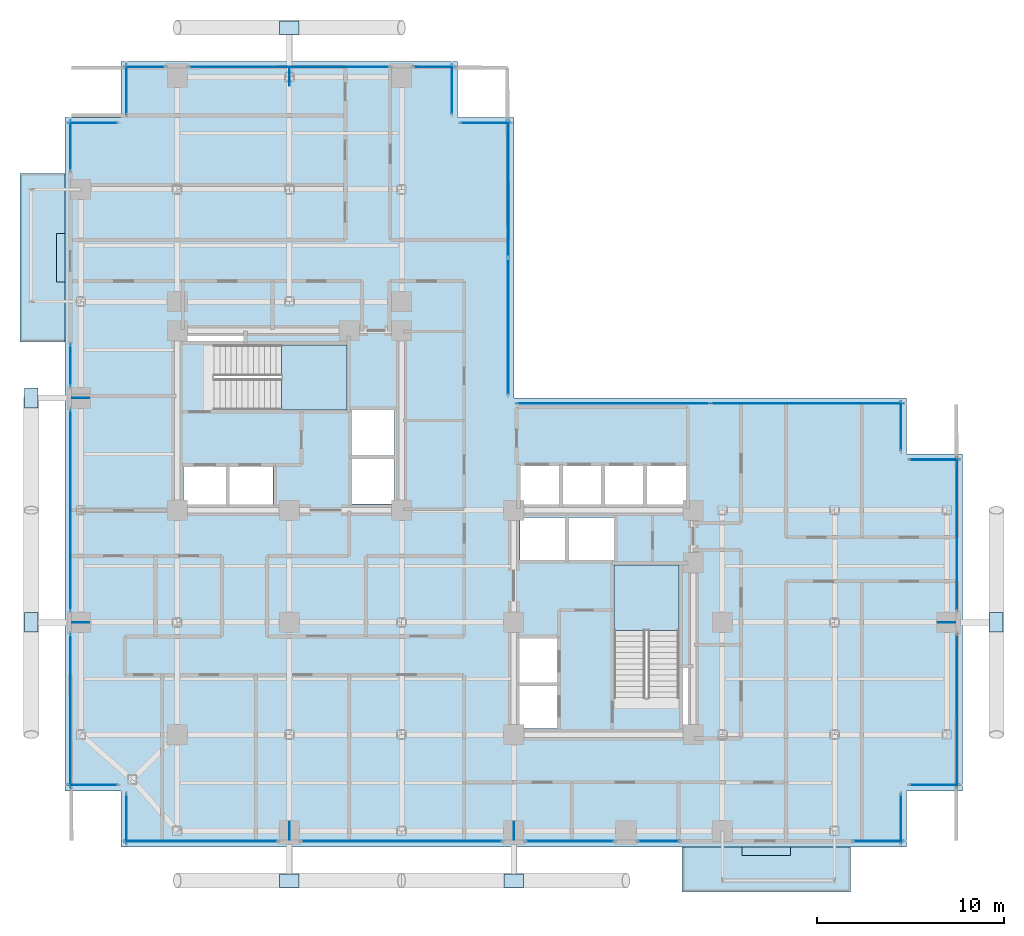
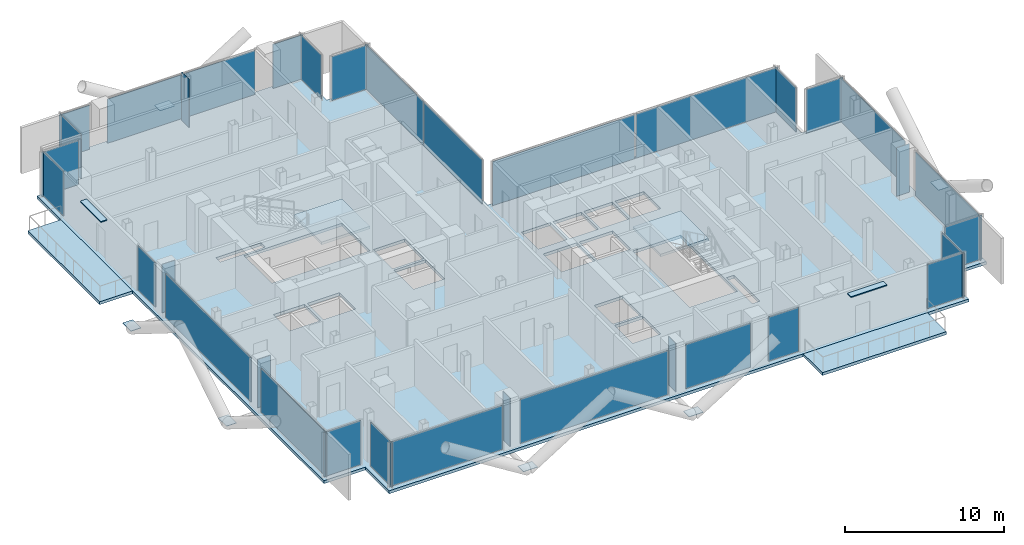
# One storey, part 18 of 28: 42 plates, 5 slabs, 28 elements without a shape of their own.
"""IFC4 building model written with IfcOpenShell, lengths in metres."""

from ifc_helpers import new_model, si_unit, direction, frame, origin, origin_2d, place, context, subcontext, project, spatial, polyline, rectangle, outline, extrude, material, layer, layer_set, type_object, element, aggregate, save


model = new_model("IFC4")

# Units and contexts
model_context = context("Model", 3, precision=1e-05, world=origin(), true_north=direction((0.0, 1.0)))
body_context = subcontext(model_context, "Body", "Model", "MODEL_VIEW")
ifc_project = project(units=[si_unit("LENGTHUNIT", "METRE"), si_unit("AREAUNIT", "SQUARE_METRE"), si_unit("VOLUMEUNIT", "CUBIC_METRE"), si_unit("PLANEANGLEUNIT", "RADIAN"), si_unit("MASSUNIT", "GRAM", prefix="KILO"), si_unit("THERMODYNAMICTEMPERATUREUNIT", "KELVIN"), si_unit("POWERUNIT", "WATT")], contexts=[model_context])

# Site, building, storey
site_placement = place(None, origin())
site = spatial("IfcSite", under=ifc_project, at=site_placement, CompositionType="ELEMENT")
building_placement = place(site_placement, origin())
building = spatial("IfcBuilding", under=site, at=building_placement, Name="Svarakhadi Broadcast Tower", CompositionType="ELEMENT")
storey_placement = place(building_placement, frame((0.0, 0.0, 123.14990234375)))
storey = spatial("IfcBuildingStorey", under=building, at=storey_placement, Name="L29", CompositionType="ELEMENT", Elevation=123.14990234375)

# Curtain wall, plate
ifc_material_1 = material(Name="Anodised Bronze Aluminium AA 6063-T6", Category="aluminium")
ifc_layer_1 = layer(ifc_material_1, 0.199951171875)
ifc_layer_set_1 = layer_set([ifc_layer_1], Name="Anodised Bronze Aluminium AA 6063-T6")
curtain_wall_type = type_object("IfcCurtainWallType", Name="CW_Sys_03", PredefinedType="NOTDEFINED", material=ifc_layer_set_1)
curtain_wall_1_placement = place(storey_placement, origin())
curtain_wall_1 = element("IfcCurtainWall", 1, at=curtain_wall_1_placement, inside=storey, type_object=curtain_wall_type, Name="L29 Unitised Facade Curtain Wall 01", PredefinedType="NOTDEFINED")
ifc_material_2 = material(Name="Double Low-E Laminated Acoustic Glass IGU 36 mm", Category="glass")
ifc_layer_2 = layer(ifc_material_2, 0.035888671875)
ifc_layer_set_2 = layer_set([ifc_layer_2], Name="Double Low-E Laminated Acoustic Glass IGU 36 mm")
plate_type_1 = type_object("IfcPlateType", Name="CW_Sys_03_Pnl", PredefinedType="CURTAIN_PANEL", material=ifc_layer_set_2)
plate_1_placement = place(storey_placement, frame((1.5, 3.300048828125, 0.0703125), z_axis=(0.0, 0.0, 1.0), x_axis=(-1.0, 0.0, 0.0)))
plate_1 = element("IfcPlate", 2, at=plate_1_placement, type_object=plate_type_1, Name="CW-03 panel 1.1", PredefinedType="CURTAIN_PANEL", context=body_context, shape_type="SweptSolid", body=[
    extrude(rectangle(XDim=2.669921875, YDim=0.035888671875, at=origin_2d()), origin(), (0.0, 0.0, 1.0), 3.385009765625),
])
aggregate(curtain_wall_1, [plate_1])

curtain_wall_2_placement = place(storey_placement, origin())
curtain_wall_2 = element("IfcCurtainWall", 3, at=curtain_wall_2_placement, inside=storey, type_object=curtain_wall_type, Name="L29 West Curtain Wall 02 Bay 1", PredefinedType="NOTDEFINED")
plate_2_placement = place(storey_placement, frame((0.300048828125, 7.260009765625, 0.0703125), z_axis=(0.0, 0.0, 1.0), x_axis=(0.0, 1.0, 0.0)))
plate_2 = element("IfcPlate", 4, at=plate_2_placement, type_object=plate_type_1, Name="CW-03 panel 1.1", PredefinedType="CURTAIN_PANEL", context=body_context, shape_type="SweptSolid", body=[
    extrude(rectangle(XDim=8.18994140625, YDim=0.035888671875, at=origin_2d()), origin(), (0.0, 0.0, 1.0), 3.385009765625),
])
aggregate(curtain_wall_2, [plate_2])

curtain_wall_3_placement = place(storey_placement, origin())
curtain_wall_3 = element("IfcCurtainWall", 5, at=curtain_wall_3_placement, inside=storey, type_object=curtain_wall_type, Name="L29 West Curtain Wall 02 Bay 2", PredefinedType="NOTDEFINED")
plate_3_placement = place(storey_placement, frame((0.300048828125, 18.0, 0.0703125), z_axis=(0.0, 0.0, 1.0), x_axis=(0.0, 1.0, 0.0)))
plate_3 = element("IfcPlate", 6, at=plate_3_placement, type_object=plate_type_1, Name="CW-03 panel 1.1", PredefinedType="CURTAIN_PANEL", context=body_context, shape_type="SweptSolid", body=[
    extrude(rectangle(XDim=10.7099609375, YDim=0.035888671875, at=origin_2d()), origin(), (0.0, 0.0, 1.0), 3.385009765625),
])
aggregate(curtain_wall_3, [plate_3])

curtain_wall_4_placement = place(storey_placement, origin())
curtain_wall_4 = element("IfcCurtainWall", 7, at=curtain_wall_4_placement, inside=storey, type_object=curtain_wall_type, Name="L29 West Curtain Wall 02 Bay 3", PredefinedType="NOTDEFINED")
plate_4_placement = place(storey_placement, frame((0.300048828125, 25.739990234375, 0.0703125), z_axis=(0.0, 0.0, 1.0), x_axis=(0.0, 1.0, 0.0)))
plate_4 = element("IfcPlate", 8, at=plate_4_placement, type_object=plate_type_1, Name="CW-03 panel 1.1", PredefinedType="CURTAIN_PANEL", context=body_context, shape_type="SweptSolid", body=[
    extrude(rectangle(XDim=2.18994140625, YDim=0.035888671875, at=origin_2d()), origin(), (0.0, 0.0, 1.0), 3.385009765625),
])
aggregate(curtain_wall_4, [plate_4])

curtain_wall_5_placement = place(storey_placement, origin())
curtain_wall_5 = element("IfcCurtainWall", 9, at=curtain_wall_5_placement, inside=storey, type_object=curtain_wall_type, Name="L29 West Curtain Wall 03", PredefinedType="NOTDEFINED")
plate_5_placement = place(storey_placement, frame((0.300048828125, 37.5, 0.0703125), z_axis=(0.0, 0.0, 1.0), x_axis=(0.0, 1.0, 0.0)))
plate_5 = element("IfcPlate", 10, at=plate_5_placement, type_object=plate_type_1, Name="CW-03 panel 1.1", PredefinedType="CURTAIN_PANEL", context=body_context, shape_type="SweptSolid", body=[
    extrude(rectangle(XDim=2.669921875, YDim=0.035888671875, at=origin_2d()), origin(), (0.0, 0.0, 1.0), 3.385009765625),
])
aggregate(curtain_wall_5, [plate_5])

curtain_wall_6_placement = place(storey_placement, origin())
curtain_wall_6 = element("IfcCurtainWall", 11, at=curtain_wall_6_placement, inside=storey, type_object=curtain_wall_type, Name="L29 Unitised Facade Curtain Wall 04", PredefinedType="NOTDEFINED")
plate_6_placement = place(storey_placement, frame((1.5, 38.699951171875, 0.0703125), z_axis=(0.0, 0.0, 1.0), x_axis=(1.0, 0.0, 0.0)))
plate_6 = element("IfcPlate", 12, at=plate_6_placement, type_object=plate_type_1, Name="CW-03 panel 1.1", PredefinedType="CURTAIN_PANEL", context=body_context, shape_type="SweptSolid", body=[
    extrude(rectangle(XDim=2.669921875, YDim=0.035888671875, at=origin_2d()), origin(), (0.0, 0.0, 1.0), 3.385009765625),
])
aggregate(curtain_wall_6, [plate_6])

curtain_wall_7_placement = place(storey_placement, origin())
curtain_wall_7 = element("IfcCurtainWall", 13, at=curtain_wall_7_placement, inside=storey, type_object=curtain_wall_type, Name="L29 Unitised Facade Curtain Wall 05", PredefinedType="NOTDEFINED")
plate_7_placement = place(storey_placement, frame((3.300048828125, 40.5, 0.0703125), z_axis=(0.0, 0.0, 1.0), x_axis=(0.0, 1.0, 0.0)))
plate_7 = element("IfcPlate", 14, at=plate_7_placement, type_object=plate_type_1, Name="CW-03 panel 1.1", PredefinedType="CURTAIN_PANEL", context=body_context, shape_type="SweptSolid", body=[
    extrude(rectangle(XDim=2.669921875, YDim=0.035888671875, at=origin_2d()), origin(), (0.0, 0.0, 1.0), 3.385009765625),
])
aggregate(curtain_wall_7, [plate_7])

curtain_wall_8_placement = place(storey_placement, origin())
curtain_wall_8 = element("IfcCurtainWall", 15, at=curtain_wall_8_placement, inside=storey, type_object=curtain_wall_type, Name="L29 Unitised Facade Curtain Wall 06 Bay 1", PredefinedType="NOTDEFINED")
plate_8_placement = place(storey_placement, frame((4.260009765625, 41.699951171875, 0.0703125), z_axis=(0.0, 0.0, 1.0), x_axis=(1.0, 0.0, 0.0)))
plate_8 = element("IfcPlate", 16, at=plate_8_placement, type_object=plate_type_1, Name="CW-03 panel 1.1", PredefinedType="CURTAIN_PANEL", context=body_context, shape_type="SweptSolid", body=[
    extrude(rectangle(XDim=2.18994140625, YDim=0.035888671875, at=origin_2d()), origin(), (0.0, 0.0, 1.0), 3.385009765625),
])
aggregate(curtain_wall_8, [plate_8])

curtain_wall_9_placement = place(storey_placement, origin())
curtain_wall_9 = element("IfcCurtainWall", 17, at=curtain_wall_9_placement, inside=storey, type_object=curtain_wall_type, Name="L29 Unitised Facade Curtain Wall 06 Bay 2", PredefinedType="NOTDEFINED")
plate_9_placement = place(storey_placement, frame((12.0, 41.699951171875, 0.0703125), z_axis=(0.0, 0.0, 1.0), x_axis=(1.0, 0.0, 0.0)))
plate_9 = element("IfcPlate", 18, at=plate_9_placement, type_object=plate_type_1, Name="CW-03 panel 1.1", PredefinedType="CURTAIN_PANEL", context=body_context, shape_type="SweptSolid", body=[
    extrude(rectangle(XDim=10.7099609375, YDim=0.035888671875, at=origin_2d()), origin(), (0.0, 0.0, 1.0), 3.385009765625),
])
aggregate(curtain_wall_9, [plate_9])

curtain_wall_10_placement = place(storey_placement, origin())
curtain_wall_10 = element("IfcCurtainWall", 19, at=curtain_wall_10_placement, inside=storey, type_object=curtain_wall_type, Name="L29 Unitised Facade Curtain Wall 06 Bay 3", PredefinedType="NOTDEFINED")
plate_10_placement = place(storey_placement, frame((19.739990234375, 41.699951171875, 0.0703125), z_axis=(0.0, 0.0, 1.0), x_axis=(1.0, 0.0, 0.0)))
plate_10 = element("IfcPlate", 20, at=plate_10_placement, type_object=plate_type_1, Name="CW-03 panel 1.1", PredefinedType="CURTAIN_PANEL", context=body_context, shape_type="SweptSolid", body=[
    extrude(rectangle(XDim=2.18994140625, YDim=0.035888671875, at=origin_2d()), origin(), (0.0, 0.0, 1.0), 3.385009765625),
])
aggregate(curtain_wall_10, [plate_10])

curtain_wall_11_placement = place(storey_placement, origin())
curtain_wall_11 = element("IfcCurtainWall", 21, at=curtain_wall_11_placement, inside=storey, type_object=curtain_wall_type, Name="L29 Unitised Facade Curtain Wall 07", PredefinedType="NOTDEFINED")
plate_11_placement = place(storey_placement, frame((20.699951171875, 40.5, 0.0703125), z_axis=(0.0, 0.0, 1.0), x_axis=(0.0, -1.0, 0.0)))
plate_11 = element("IfcPlate", 22, at=plate_11_placement, type_object=plate_type_1, Name="CW-03 panel 1.1", PredefinedType="CURTAIN_PANEL", context=body_context, shape_type="SweptSolid", body=[
    extrude(rectangle(XDim=2.669921875, YDim=0.035888671875, at=origin_2d()), origin(), (0.0, 0.0, 1.0), 3.385009765625),
])
aggregate(curtain_wall_11, [plate_11])

curtain_wall_12_placement = place(storey_placement, origin())
curtain_wall_12 = element("IfcCurtainWall", 23, at=curtain_wall_12_placement, inside=storey, type_object=curtain_wall_type, Name="L29 Unitised Facade Curtain Wall 08", PredefinedType="NOTDEFINED")
plate_12_placement = place(storey_placement, frame((22.5, 38.699951171875, 0.0703125), z_axis=(0.0, 0.0, 1.0), x_axis=(1.0, 0.0, 0.0)))
plate_12 = element("IfcPlate", 24, at=plate_12_placement, type_object=plate_type_1, Name="CW-03 panel 1.1", PredefinedType="CURTAIN_PANEL", context=body_context, shape_type="SweptSolid", body=[
    extrude(rectangle(XDim=2.669921875, YDim=0.035888671875, at=origin_2d()), origin(), (0.0, 0.0, 1.0), 3.385009765625),
])
aggregate(curtain_wall_12, [plate_12])

# Curtain wall, plates
curtain_wall_13_placement = place(storey_placement, origin())
curtain_wall_13 = element("IfcCurtainWall", 25, at=curtain_wall_13_placement, inside=storey, type_object=curtain_wall_type, Name="L29 Unitised Facade Curtain Wall 09", PredefinedType="NOTDEFINED")
plate_13_placement = place(storey_placement, frame((23.699951171875, 35.186279296875, 0.0703125), z_axis=(0.0, 0.0, 1.0), x_axis=(0.0, -1.0, 0.0)))
plate_13 = element("IfcPlate", 26, at=plate_13_placement, type_object=plate_type_1, Name="CW-03 panel 1.1", PredefinedType="CURTAIN_PANEL", context=body_context, shape_type="SweptSolid", body=[
    extrude(rectangle(XDim=7.297607421875, YDim=0.035888671875, at=origin_2d()), origin(), (0.0, 0.0, 1.0), 3.385009765625),
])
plate_14_placement = place(storey_placement, frame((23.699951171875, 27.813720703125, 0.0703125), z_axis=(0.0, 0.0, 1.0), x_axis=(0.0, -1.0, 0.0)))
plate_14 = element("IfcPlate", 27, at=plate_14_placement, type_object=plate_type_1, Name="CW-03 panel 2.1", PredefinedType="CURTAIN_PANEL", context=body_context, shape_type="SweptSolid", body=[
    extrude(rectangle(XDim=7.297607421875, YDim=0.035888671875, at=origin_2d()), origin(), (0.0, 0.0, 1.0), 3.385009765625),
])
aggregate(curtain_wall_13, [plate_13, plate_14])

curtain_wall_14_placement = place(storey_placement, origin())
curtain_wall_14 = element("IfcCurtainWall", 28, at=curtain_wall_14_placement, inside=storey, type_object=curtain_wall_type, Name="L29 Unitised Facade Curtain Wall 10", PredefinedType="NOTDEFINED")
plate_15_placement = place(storey_placement, frame((29.313720703125, 23.699951171875, 0.0703125), z_axis=(0.0, 0.0, 1.0), x_axis=(1.0, 0.0, 0.0)))
plate_15 = element("IfcPlate", 29, at=plate_15_placement, type_object=plate_type_1, Name="CW-03 panel 1.1", PredefinedType="CURTAIN_PANEL", context=body_context, shape_type="SweptSolid", body=[
    extrude(rectangle(XDim=10.297607421875, YDim=0.035888671875, at=origin_2d()), origin(), (0.0, 0.0, 1.0), 3.385009765625),
])
plate_16_placement = place(storey_placement, frame((39.686279296875, 23.699951171875, 0.0703125), z_axis=(0.0, 0.0, 1.0), x_axis=(1.0, 0.0, 0.0)))
plate_16 = element("IfcPlate", 30, at=plate_16_placement, type_object=plate_type_1, Name="CW-03 panel 2.1", PredefinedType="CURTAIN_PANEL", context=body_context, shape_type="SweptSolid", body=[
    extrude(rectangle(XDim=10.297607421875, YDim=0.035888671875, at=origin_2d()), origin(), (0.0, 0.0, 1.0), 3.385009765625),
])
aggregate(curtain_wall_14, [plate_15, plate_16])

# Curtain wall, plate
curtain_wall_15_placement = place(storey_placement, origin())
curtain_wall_15 = element("IfcCurtainWall", 31, at=curtain_wall_15_placement, inside=storey, type_object=curtain_wall_type, Name="L29 Unitised Facade Curtain Wall 11", PredefinedType="NOTDEFINED")
plate_17_placement = place(storey_placement, frame((44.699951171875, 22.5, 0.0703125), z_axis=(0.0, 0.0, 1.0), x_axis=(0.0, -1.0, 0.0)))
plate_17 = element("IfcPlate", 32, at=plate_17_placement, type_object=plate_type_1, Name="CW-03 panel 1.1", PredefinedType="CURTAIN_PANEL", context=body_context, shape_type="SweptSolid", body=[
    extrude(rectangle(XDim=2.669921875, YDim=0.035888671875, at=origin_2d()), origin(), (0.0, 0.0, 1.0), 3.385009765625),
])
aggregate(curtain_wall_15, [plate_17])

curtain_wall_16_placement = place(storey_placement, origin())
curtain_wall_16 = element("IfcCurtainWall", 33, at=curtain_wall_16_placement, inside=storey, type_object=curtain_wall_type, Name="L29 Unitised Facade Curtain Wall 12", PredefinedType="NOTDEFINED")
plate_18_placement = place(storey_placement, frame((46.5, 20.699951171875, 0.0703125), z_axis=(0.0, 0.0, 1.0), x_axis=(1.0, 0.0, 0.0)))
plate_18 = element("IfcPlate", 34, at=plate_18_placement, type_object=plate_type_1, Name="CW-03 panel 1.1", PredefinedType="CURTAIN_PANEL", context=body_context, shape_type="SweptSolid", body=[
    extrude(rectangle(XDim=2.669921875, YDim=0.035888671875, at=origin_2d()), origin(), (0.0, 0.0, 1.0), 3.385009765625),
])
aggregate(curtain_wall_16, [plate_18])

curtain_wall_17_placement = place(storey_placement, origin())
curtain_wall_17 = element("IfcCurtainWall", 35, at=curtain_wall_17_placement, inside=storey, type_object=curtain_wall_type, Name="L29 Unitised Facade Curtain Wall 13 Bay 1", PredefinedType="NOTDEFINED")
plate_19_placement = place(storey_placement, frame((47.699951171875, 16.739990234375, 0.0703125), z_axis=(0.0, 0.0, 1.0), x_axis=(0.0, -1.0, 0.0)))
plate_19 = element("IfcPlate", 36, at=plate_19_placement, type_object=plate_type_1, Name="CW-03 panel 1.1", PredefinedType="CURTAIN_PANEL", context=body_context, shape_type="SweptSolid", body=[
    extrude(rectangle(XDim=8.18994140625, YDim=0.035888671875, at=origin_2d()), origin(), (0.0, 0.0, 1.0), 3.385009765625),
])
aggregate(curtain_wall_17, [plate_19])

curtain_wall_18_placement = place(storey_placement, origin())
curtain_wall_18 = element("IfcCurtainWall", 37, at=curtain_wall_18_placement, inside=storey, type_object=curtain_wall_type, Name="L29 Unitised Facade Curtain Wall 13 Bay 2", PredefinedType="NOTDEFINED")
plate_20_placement = place(storey_placement, frame((47.699951171875, 7.260009765625, 0.0703125), z_axis=(0.0, 0.0, 1.0), x_axis=(0.0, -1.0, 0.0)))
plate_20 = element("IfcPlate", 38, at=plate_20_placement, type_object=plate_type_1, Name="CW-03 panel 1.1", PredefinedType="CURTAIN_PANEL", context=body_context, shape_type="SweptSolid", body=[
    extrude(rectangle(XDim=8.18994140625, YDim=0.035888671875, at=origin_2d()), origin(), (0.0, 0.0, 1.0), 3.385009765625),
])
aggregate(curtain_wall_18, [plate_20])

curtain_wall_19_placement = place(storey_placement, origin())
curtain_wall_19 = element("IfcCurtainWall", 39, at=curtain_wall_19_placement, inside=storey, type_object=curtain_wall_type, Name="L29 Unitised Facade Curtain Wall 14", PredefinedType="NOTDEFINED")
plate_21_placement = place(storey_placement, frame((46.5, 3.300048828125, 0.0703125), z_axis=(0.0, 0.0, 1.0), x_axis=(-1.0, 0.0, 0.0)))
plate_21 = element("IfcPlate", 40, at=plate_21_placement, type_object=plate_type_1, Name="CW-03 panel 1.1", PredefinedType="CURTAIN_PANEL", context=body_context, shape_type="SweptSolid", body=[
    extrude(rectangle(XDim=2.669921875, YDim=0.035888671875, at=origin_2d()), origin(), (0.0, 0.0, 1.0), 3.385009765625),
])
aggregate(curtain_wall_19, [plate_21])

curtain_wall_20_placement = place(storey_placement, origin())
curtain_wall_20 = element("IfcCurtainWall", 41, at=curtain_wall_20_placement, inside=storey, type_object=curtain_wall_type, Name="L29 Unitised Facade Curtain Wall 15", PredefinedType="NOTDEFINED")
plate_22_placement = place(storey_placement, frame((44.699951171875, 1.5, 0.0703125), z_axis=(0.0, 0.0, 1.0), x_axis=(0.0, -1.0, 0.0)))
plate_22 = element("IfcPlate", 42, at=plate_22_placement, type_object=plate_type_1, Name="CW-03 panel 1.1", PredefinedType="CURTAIN_PANEL", context=body_context, shape_type="SweptSolid", body=[
    extrude(rectangle(XDim=2.669921875, YDim=0.035888671875, at=origin_2d()), origin(), (0.0, 0.0, 1.0), 3.385009765625),
])
aggregate(curtain_wall_20, [plate_22])

curtain_wall_21_placement = place(storey_placement, origin())
curtain_wall_21 = element("IfcCurtainWall", 43, at=curtain_wall_21_placement, inside=storey, type_object=curtain_wall_type, Name="L29 South Curtain Wall 16", PredefinedType="NOTDEFINED")
plate_23_placement = place(storey_placement, frame((43.5, 0.300048828125, 0.0703125), z_axis=(0.0, 0.0, 1.0), x_axis=(-1.0, 0.0, 0.0)))
plate_23 = element("IfcPlate", 44, at=plate_23_placement, type_object=plate_type_1, Name="CW-03 panel 1.1", PredefinedType="CURTAIN_PANEL", context=body_context, shape_type="SweptSolid", body=[
    extrude(rectangle(XDim=2.669921875, YDim=0.035888671875, at=origin_2d()), origin(), (0.0, 0.0, 1.0), 3.385009765625),
])
aggregate(curtain_wall_21, [plate_23])

curtain_wall_22_placement = place(storey_placement, origin())
curtain_wall_22 = element("IfcCurtainWall", 45, at=curtain_wall_22_placement, inside=storey, type_object=curtain_wall_type, Name="L29 South Curtain Wall 17 Bay 1", PredefinedType="NOTDEFINED")
plate_24_placement = place(storey_placement, frame((31.739990234375, 0.300048828125, 0.0703125), z_axis=(0.0, 0.0, 1.0), x_axis=(-1.0, 0.0, 0.0)))
plate_24 = element("IfcPlate", 46, at=plate_24_placement, type_object=plate_type_1, Name="CW-03 panel 1.1", PredefinedType="CURTAIN_PANEL", context=body_context, shape_type="SweptSolid", body=[
    extrude(rectangle(XDim=2.18994140625, YDim=0.035888671875, at=origin_2d()), origin(), (0.0, 0.0, 1.0), 3.385009765625),
])
aggregate(curtain_wall_22, [plate_24])

curtain_wall_23_placement = place(storey_placement, origin())
curtain_wall_23 = element("IfcCurtainWall", 47, at=curtain_wall_23_placement, inside=storey, type_object=curtain_wall_type, Name="L29 South Curtain Wall 17 Bay 2", PredefinedType="NOTDEFINED")
plate_25_placement = place(storey_placement, frame((27.0, 0.300048828125, 0.0703125), z_axis=(0.0, 0.0, 1.0), x_axis=(-1.0, 0.0, 0.0)))
plate_25 = element("IfcPlate", 48, at=plate_25_placement, type_object=plate_type_1, Name="CW-03 panel 1.1", PredefinedType="CURTAIN_PANEL", context=body_context, shape_type="SweptSolid", body=[
    extrude(rectangle(XDim=4.7099609375, YDim=0.035888671875, at=origin_2d()), origin(), (0.0, 0.0, 1.0), 3.385009765625),
])
aggregate(curtain_wall_23, [plate_25])

curtain_wall_24_placement = place(storey_placement, origin())
curtain_wall_24 = element("IfcCurtainWall", 49, at=curtain_wall_24_placement, inside=storey, type_object=curtain_wall_type, Name="L29 South Curtain Wall 17 Bay 3", PredefinedType="NOTDEFINED")
plate_26_placement = place(storey_placement, frame((18.0, 0.300048828125, 0.0703125), z_axis=(0.0, 0.0, 1.0), x_axis=(-1.0, 0.0, 0.0)))
plate_26 = element("IfcPlate", 50, at=plate_26_placement, type_object=plate_type_1, Name="CW-03 panel 1.1", PredefinedType="CURTAIN_PANEL", context=body_context, shape_type="SweptSolid", body=[
    extrude(rectangle(XDim=10.7099609375, YDim=0.035888671875, at=origin_2d()), origin(), (0.0, 0.0, 1.0), 3.385009765625),
])
aggregate(curtain_wall_24, [plate_26])

curtain_wall_25_placement = place(storey_placement, origin())
curtain_wall_25 = element("IfcCurtainWall", 51, at=curtain_wall_25_placement, inside=storey, type_object=curtain_wall_type, Name="L29 South Curtain Wall 17 Bay 4", PredefinedType="NOTDEFINED")
plate_27_placement = place(storey_placement, frame((7.260009765625, 0.300048828125, 0.0703125), z_axis=(0.0, 0.0, 1.0), x_axis=(-1.0, 0.0, 0.0)))
plate_27 = element("IfcPlate", 52, at=plate_27_placement, type_object=plate_type_1, Name="CW-03 panel 1.1", PredefinedType="CURTAIN_PANEL", context=body_context, shape_type="SweptSolid", body=[
    extrude(rectangle(XDim=8.18994140625, YDim=0.035888671875, at=origin_2d()), origin(), (0.0, 0.0, 1.0), 3.385009765625),
])
aggregate(curtain_wall_25, [plate_27])

curtain_wall_26_placement = place(storey_placement, origin())
curtain_wall_26 = element("IfcCurtainWall", 53, at=curtain_wall_26_placement, inside=storey, type_object=curtain_wall_type, Name="L29 Unitised Facade Curtain Wall 18", PredefinedType="NOTDEFINED")
plate_28_placement = place(storey_placement, frame((3.300048828125, 1.5, 0.0703125), z_axis=(0.0, 0.0, 1.0), x_axis=(0.0, 1.0, 0.0)))
plate_28 = element("IfcPlate", 54, at=plate_28_placement, type_object=plate_type_1, Name="CW-03 panel 1.1", PredefinedType="CURTAIN_PANEL", context=body_context, shape_type="SweptSolid", body=[
    extrude(rectangle(XDim=2.669921875, YDim=0.035888671875, at=origin_2d()), origin(), (0.0, 0.0, 1.0), 3.385009765625),
])
aggregate(curtain_wall_26, [plate_28])

# Plates
ifc_material_3 = material(Name="Steel S460ML (IS 2062 E450BR)", Category="steel")
ifc_layer_3 = layer(ifc_material_3, 0.031982421875)
ifc_layer_set_3 = layer_set([ifc_layer_3], Name="Steel S460ML (IS 2062 E450BR)")
plate_type_2 = type_object("IfcPlateType", Name="Node_Gusset_N02", PredefinedType="SHEET", material=ifc_layer_set_3)
for number, where, z_axis, x_axis, name in (
    (55, (12.0, -1.800048828125, -0.22509765625), (0.0, 0.0, 1.0), (1.0, 0.0, 0.0), "L29 Exoskeleton Gusset Node Plate S01"),
    (56, (24.0, -1.800048828125, -0.22509765625), (0.0, 0.0, 1.0), (1.0, 0.0, 0.0), "L29 Exoskeleton Gusset Node Plate S02"),
    (57, (-1.800048828125, 12.0, -0.22509765625), (0.0, 0.0, 1.0), (0.0, 1.0, 0.0), "L29 Exoskeleton Gusset Node Plate W03"),
    (58, (-1.800048828125, 24.0, -0.22509765625), (0.0, 0.0, 1.0), (0.0, 1.0, 0.0), "L29 Exoskeleton Gusset Node Plate W04"),
    (59, (49.800048828125, 12.0, -0.22509765625), (0.0, 0.0, 1.0), (0.0, 1.0, 0.0), "L29 Exoskeleton Gusset Node Plate E05"),
    (60, (12.0, 43.800048828125, -0.22509765625), (0.0, 0.0, 1.0), (1.0, 0.0, 0.0), "L29 Exoskeleton Gusset Node Plate N06"),
):
    element("IfcPlate", number, at=place(storey_placement, frame(where, z_axis=z_axis, x_axis=x_axis)), inside=storey, type_object=plate_type_2, Name=name, PredefinedType="SHEET", context=body_context, shape_type="SweptSolid", body=[
        extrude(rectangle(XDim=1.050048828125, YDim=0.719970703125, at=origin_2d()), origin(), (0.0, 0.0, 1.0), 0.031982421875),
    ])
ifc_layer_4 = layer(ifc_material_3, 0.02587890625)
ifc_layer_set_4 = layer_set([ifc_layer_4], Name="Steel S460ML (IS 2062 E450BR)")
plate_type_3 = type_object("IfcPlateType", Name="Node_Gusset_N07", PredefinedType="SHEET", material=ifc_layer_set_4)
for number, where, z_axis, x_axis, name in (
    (61, (12.0, 0.85009765625, -0.5869140625), (0.0, 0.0, 1.0), (0.0, 1.0, 0.0), "L29 Brace End Connection Gusset Plate N-07-E0236"),
    (62, (24.0, 0.85009765625, -0.5869140625), (0.0, 0.0, 1.0), (0.0, 1.0, 0.0), "L29 Brace End Connection Gusset Plate N-07-E0237"),
    (63, (0.85009765625, 12.0, -0.5869140625), (0.0, 0.0, 1.0), (1.0, 0.0, 0.0), "L29 Brace End Connection Gusset Plate N-07-E0238"),
    (64, (0.85009765625, 24.0, -0.5869140625), (0.0, 0.0, 1.0), (1.0, 0.0, 0.0), "L29 Brace End Connection Gusset Plate N-07-E0239"),
    (65, (47.14990234375, 12.0, -0.5869140625), (0.0, 0.0, 1.0), (1.0, 0.0, 0.0), "L29 Brace End Connection Gusset Plate N-07-E0240"),
    (66, (12.0, 41.14990234375, -0.5869140625), (0.0, 0.0, 1.0), (0.0, 1.0, 0.0), "L29 Brace End Connection Gusset Plate N-07-E0241"),
):
    element("IfcPlate", number, at=place(storey_placement, frame(where, z_axis=z_axis, x_axis=x_axis)), inside=storey, type_object=plate_type_3, Name=name, PredefinedType="SHEET", context=body_context, shape_type="SweptSolid", body=[
        extrude(rectangle(XDim=0.919921875, YDim=0.02587890625, at=origin_2d()), origin(), (0.0, 0.0, 1.0), 4.300048828125),
    ])

# Slab
ifc_material_4 = material(Name="Concrete C40/50 (IS 456 M50)", Category="concrete")
ifc_layer_5 = layer(ifc_material_4, 0.22509765625)
ifc_layer_set_5 = layer_set([ifc_layer_5], Name="Concrete C40/50 (IS 456 M50)")
slab_type_1 = type_object("IfcSlabType", Name="Slab_Floor_225", PredefinedType="FLOOR", material=ifc_layer_set_5)
slab_1_placement = place(storey_placement, frame((0.0, 0.0, -0.224853515625)))
element("IfcSlab", 67, at=slab_1_placement, inside=storey, type_object=slab_type_1, Name="L29 Structural Floor Slab", PredefinedType="FLOOR", context=body_context, shape_type="SweptSolid", body=[
    extrude(outline(polyline([(3.0, 0.0), (45.0, 0.0), (45.0, 3.0), (48.0, 3.0), (48.0, 21.0), (45.0, 21.0), (45.0, 24.0), (24.0, 24.0), (24.0, 39.0), (21.0, 39.0), (21.0, 42.0), (3.0, 42.0), (3.0, 39.0), (0.0, 39.0), (0.0, 3.0), (3.0, 3.0), (3.0, 0.0)]), holes=[polyline([(7.97998046875, 23.360107421875), (15.080078125, 23.360107421875), (15.080078125, 26.840087890625), (7.97998046875, 26.840087890625), (7.97998046875, 23.360107421875)]), polyline([(32.840087890625, 7.97998046875), (32.840087890625, 15.080078125), (29.360107421875, 15.080078125), (29.360107421875, 7.97998046875), (32.840087890625, 7.97998046875)]), polyline([(6.340087890625, 18.2900390625), (8.610107421875, 18.2900390625), (8.610107421875, 20.330078125), (6.340087890625, 20.330078125), (6.340087890625, 18.2900390625)]), polyline([(8.7900390625, 18.2900390625), (11.1298828125, 18.2900390625), (11.1298828125, 20.330078125), (8.7900390625, 20.330078125), (8.7900390625, 18.2900390625)]), polyline([(24.2900390625, 6.340087890625), (26.330078125, 6.340087890625), (26.330078125, 8.610107421875), (24.2900390625, 8.610107421875), (24.2900390625, 6.340087890625)]), polyline([(24.2900390625, 8.7900390625), (26.330078125, 8.7900390625), (26.330078125, 11.1298828125), (24.2900390625, 11.1298828125), (24.2900390625, 8.7900390625)]), polyline([(6.340087890625, 26.989990234375), (9.610107421875, 26.989990234375), (9.610107421875, 27.530029296875), (6.340087890625, 27.530029296875), (6.340087890625, 26.989990234375)]), polyline([(32.989990234375, 6.340087890625), (33.530029296875, 6.340087890625), (33.530029296875, 9.610107421875), (32.989990234375, 9.610107421875), (32.989990234375, 6.340087890625)]), polyline([(15.340087890625, 18.340087890625), (17.610107421875, 18.340087890625), (17.610107421875, 20.760009765625), (15.340087890625, 20.760009765625), (15.340087890625, 18.340087890625)]), polyline([(15.340087890625, 20.93994140625), (17.610107421875, 20.93994140625), (17.610107421875, 23.360107421875), (15.340087890625, 23.360107421875), (15.340087890625, 20.93994140625)]), polyline([(24.340087890625, 15.340087890625), (26.760009765625, 15.340087890625), (26.760009765625, 17.610107421875), (24.340087890625, 17.610107421875), (24.340087890625, 15.340087890625)]), polyline([(26.93994140625, 15.340087890625), (29.360107421875, 15.340087890625), (29.360107421875, 17.610107421875), (26.93994140625, 17.610107421875), (26.93994140625, 15.340087890625)]), polyline([(24.340087890625, 18.239990234375), (26.429931640625, 18.239990234375), (26.429931640625, 20.360107421875), (24.340087890625, 20.360107421875), (24.340087890625, 18.239990234375)]), polyline([(26.610107421875, 18.239990234375), (28.679931640625, 18.239990234375), (28.679931640625, 20.360107421875), (26.610107421875, 20.360107421875), (26.610107421875, 18.239990234375)]), polyline([(28.860107421875, 18.239990234375), (30.929931640625, 18.239990234375), (30.929931640625, 20.360107421875), (28.860107421875, 20.360107421875), (28.860107421875, 18.239990234375)]), polyline([(31.110107421875, 18.239990234375), (33.2099609375, 18.239990234375), (33.2099609375, 20.360107421875), (31.110107421875, 20.360107421875), (31.110107421875, 18.239990234375)])]), origin(), (0.0, 0.0, 1.0), 0.224853515625),
])

# Stair, slab
stair_type = type_object("IfcStairType", Name="Stair_Exit_Core", PredefinedType="HALF_TURN_STAIR", material=ifc_material_4)
stair_1_placement = place(storey_placement, origin())
stair_1 = element("IfcStair", 68, at=stair_1_placement, inside=storey, type_object=stair_type, Name="L29 West Core Protected Exit Stair ST-01", PredefinedType="HALF_TURN_STAIR")
ifc_layer_6 = layer(ifc_material_4, 0.199951171875)
ifc_layer_set_6 = layer_set([ifc_layer_6], Name="Concrete C40/50 (IS 456 M50)")
slab_type_2 = type_object("IfcSlabType", Name="Slab_Stair_Land", PredefinedType="LANDING", material=ifc_layer_set_6)
slab_2_placement = place(storey_placement, frame((0.0, 0.0, 1.675048828125)))
slab_2 = element("IfcSlab", 69, at=slab_2_placement, type_object=slab_type_2, Name="ST-01 landing 1", PredefinedType="LANDING", context=body_context, shape_type="SweptSolid", body=[
    extrude(outline(polyline([(11.580078125, 23.360107421875), (15.080078125, 23.360107421875), (15.080078125, 26.840087890625), (11.580078125, 26.840087890625), (11.580078125, 23.360107421875)])), origin(), (0.0, 0.0, 1.0), 0.199951171875),
])
aggregate(stair_1, [slab_2])

stair_2_placement = place(storey_placement, origin())
stair_2 = element("IfcStair", 70, at=stair_2_placement, inside=storey, type_object=stair_type, Name="L29 East Core Protected Exit Stair ST-02", PredefinedType="HALF_TURN_STAIR")
slab_3_placement = place(storey_placement, frame((0.0, 0.0, 1.675048828125)))
slab_3 = element("IfcSlab", 71, at=slab_3_placement, type_object=slab_type_2, Name="ST-02 landing 1", PredefinedType="LANDING", context=body_context, shape_type="SweptSolid", body=[
    extrude(outline(polyline([(32.840087890625, 11.580078125), (32.840087890625, 15.080078125), (29.360107421875, 15.080078125), (29.360107421875, 11.580078125), (32.840087890625, 11.580078125)])), origin(), (0.0, 0.0, 1.0), 0.199951171875),
])
aggregate(stair_2, [slab_3])

# Slabs
ifc_layer_7 = layer(ifc_material_4, 0.22509765625)
ifc_layer_set_7 = layer_set([ifc_layer_7], Name="Concrete C40/50 (IS 456 M50)")
slab_type_3 = type_object("IfcSlabType", Name="Slab_TreeBalcony", PredefinedType="FLOOR", material=ifc_layer_set_7)
slab_4_placement = place(storey_placement, frame((0.0, 0.0, -0.224853515625)))
element("IfcSlab", 72, at=slab_4_placement, inside=storey, type_object=slab_type_3, Name="L29 Planted Tree Balcony Slab BAL-E", PredefinedType="FLOOR", context=body_context, shape_type="SweptSolid", body=[
    extrude(outline(polyline([(33.0, -2.39990234375), (42.0, -2.39990234375), (42.0, 0.0), (33.0, 0.0), (33.0, -2.39990234375)])), origin(), (0.0, 0.0, 1.0), 0.224853515625),
])
slab_5_placement = place(storey_placement, frame((0.0, 0.0, -0.224853515625)))
element("IfcSlab", 73, at=slab_5_placement, inside=storey, type_object=slab_type_3, Name="L29 Planted Tree Balcony Slab BAL-N", PredefinedType="FLOOR", context=body_context, shape_type="SweptSolid", body=[
    extrude(outline(polyline([(-2.39990234375, 27.0), (0.0, 27.0), (0.0, 36.0), (-2.39990234375, 36.0), (-2.39990234375, 27.0)])), origin(), (0.0, 0.0, 1.0), 0.224853515625),
])

# Plates
ifc_layer_8 = layer(ifc_material_1, 0.080078125)
ifc_layer_set_8 = layer_set([ifc_layer_8], Name="Anodised Bronze Aluminium AA 6063-T6")
plate_type_4 = type_object("IfcPlateType", Name="Sunshade_Fin_SS01", PredefinedType="USERDEFINED", material=ifc_layer_set_8)
for number, where, z_axis, x_axis, name in (
    (74, (37.5, -0.22509765625, 3.445068359375), (0.0, 0.0, 1.0), (1.0, 0.0, 0.0), "L29 South Bronze Brise-Soleil Sunshade SS-01"),
    (75, (-0.22509765625, 31.5, 3.445068359375), (0.0, 0.0, 1.0), (0.0, 1.0, 0.0), "L29 West Bronze Brise-Soleil Sunshade SS-01"),
):
    element("IfcPlate", number, at=place(storey_placement, frame(where, z_axis=z_axis, x_axis=x_axis)), inside=storey, type_object=plate_type_4, Name=name, ObjectType="SUNSHADE", PredefinedType="USERDEFINED", context=body_context, shape_type="SweptSolid", body=[
        extrude(rectangle(XDim=2.60009765625, YDim=0.449951171875, at=origin_2d()), origin(), (0.0, 0.0, 1.0), 0.080078125),
    ])

save(model, "model.ifc")
